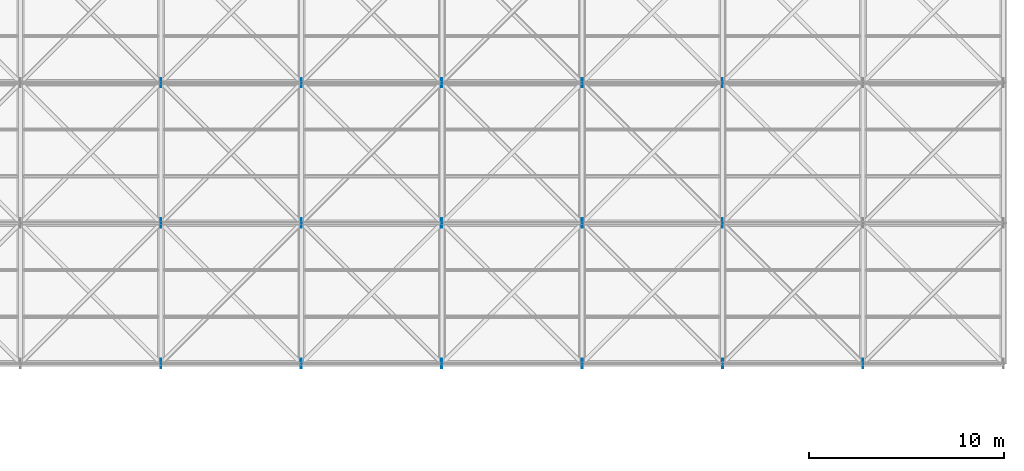
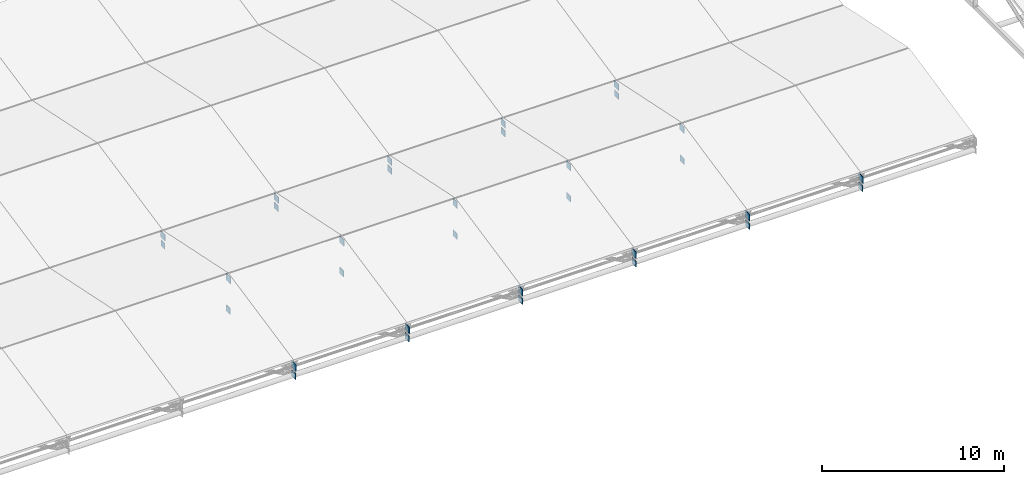
# One storey, part 68 of 72: 32 plates.
"""IFC4 building model written with IfcOpenShell, lengths in metres."""

from ifc_helpers import new_model, si_unit, direction, frame, origin, origin_2d, place, context, subcontext, project, spatial, rectangle, extrude, material, layer, layer_set, type_object, element, save


model = new_model("IFC4")

# Units and contexts
model_context = context("Model", 3, precision=1e-05, world=origin(), true_north=direction((0.0, 1.0)))
body_context = subcontext(model_context, "Body", "Model", "MODEL_VIEW")
ifc_project = project(units=[si_unit("LENGTHUNIT", "METRE"), si_unit("AREAUNIT", "SQUARE_METRE"), si_unit("VOLUMEUNIT", "CUBIC_METRE"), si_unit("PLANEANGLEUNIT", "RADIAN"), si_unit("MASSUNIT", "GRAM", prefix="KILO")], contexts=[model_context])

# Site, building, storey
site_placement = place(None, origin())
site = spatial("IfcSite", under=ifc_project, at=site_placement, CompositionType="ELEMENT")
building_placement = place(site_placement, origin())
building = spatial("IfcBuilding", under=site, at=building_placement, Name="Vaelcorin Mobility Hub", CompositionType="ELEMENT")
storey_placement = place(building_placement, frame((0.0, 0.0, 25.800048828125)))
storey = spatial("IfcBuildingStorey", under=building, at=storey_placement, Name="RF", CompositionType="ELEMENT", Elevation=25.800048828125)

# Plates
ifc_material = material(Name="Steel ASTM A572 Grade 50", Category="steel")
ifc_layer_1 = layer(ifc_material, 0.0380859375)
ifc_layer_set_1 = layer_set([ifc_layer_1], Name="Steel ASTM A572 Grade 50")
plate_type_1 = type_object("IfcPlateType", Name="PL-TN1", PredefinedType="USERDEFINED", material=ifc_layer_set_1)
for number, where, z_axis, x_axis, name in (
    (1, (72.0, 84.0, -1.719970703125), (0.0, 0.0, 1.0), (1.0, 0.0, 0.0), "Sports Roof Truss Node TN1 5-0"),
    (2, (79.199951171875, 84.0, -1.719970703125), (0.0, 0.0, 1.0), (1.0, 0.0, 0.0), "Sports Roof Truss Node TN1 6-0"),
    (3, (86.39990234375, 84.0, -1.719970703125), (0.0, 0.0, 1.0), (1.0, 0.0, 0.0), "Sports Roof Truss Node TN1 7-0"),
    (4, (93.60009765625, 84.0, -1.719970703125), (0.0, 0.0, 1.0), (1.0, 0.0, 0.0), "Sports Roof Truss Node TN1 8-0"),
    (5, (100.800048828125, 84.0, -1.719970703125), (0.0, 0.0, 1.0), (1.0, 0.0, 0.0), "Sports Roof Truss Node TN1 9-0"),
    (6, (108.0, 84.0, -1.719970703125), (0.0, 0.0, 1.0), (1.0, 0.0, 0.0), "Sports Roof Truss Node TN1 10-0"),
):
    element("IfcPlate", number, at=place(storey_placement, frame(where, z_axis=z_axis, x_axis=x_axis)), inside=storey, type_object=plate_type_1, Name=name, ObjectType="GUSSET PLATE", PredefinedType="USERDEFINED", context=body_context, shape_type="SweptSolid", body=[
        extrude(rectangle(XDim=0.0380859375, YDim=0.47998046875, at=origin_2d()), origin(), (0.0, 0.0, 1.0), 0.43994140625),
    ])
ifc_layer_2 = layer(ifc_material, 0.030029296875)
ifc_layer_set_2 = layer_set([ifc_layer_2], Name="Steel ASTM A572 Grade 50")
plate_type_2 = type_object("IfcPlateType", Name="PL-TN2", PredefinedType="USERDEFINED", material=ifc_layer_set_2)
plate_1_placement = place(storey_placement, frame((72.0, 84.0, -2.300048828125), z_axis=(0.0, 0.0, 1.0), x_axis=(1.0, 0.0, 0.0)))
element("IfcPlate", 7, at=plate_1_placement, inside=storey, type_object=plate_type_2, Name="Sports Roof Truss Bottom Node 5-0", ObjectType="GUSSET PLATE", PredefinedType="USERDEFINED", context=body_context, shape_type="SweptSolid", body=[
    extrude(rectangle(XDim=0.030029296875, YDim=0.43994140625, at=origin_2d()), origin(), (0.0, 0.0, 1.0), 0.39990234375),
])
plate_2_placement = place(storey_placement, frame((72.0, 91.199951171875, -0.219970703125), z_axis=(0.0, 0.0, 1.0), x_axis=(1.0, 0.0, 0.0)))
element("IfcPlate", 8, at=plate_2_placement, inside=storey, type_object=plate_type_2, Name="Sports Roof Truss Node TN2 5-1", ObjectType="GUSSET PLATE", PredefinedType="USERDEFINED", context=body_context, shape_type="SweptSolid", body=[
    extrude(rectangle(XDim=0.030029296875, YDim=0.47998046875, at=origin_2d()), origin(), (0.0, 0.0, 1.0), 0.43994140625),
])
plate_3_placement = place(storey_placement, frame((72.0, 91.199951171875, -2.300048828125), z_axis=(0.0, 0.0, 1.0), x_axis=(1.0, 0.0, 0.0)))
element("IfcPlate", 9, at=plate_3_placement, inside=storey, type_object=plate_type_2, Name="Sports Roof Truss Bottom Node 5-1", ObjectType="GUSSET PLATE", PredefinedType="USERDEFINED", context=body_context, shape_type="SweptSolid", body=[
    extrude(rectangle(XDim=0.030029296875, YDim=0.43994140625, at=origin_2d()), origin(), (0.0, 0.0, 1.0), 0.39990234375),
])
plate_4_placement = place(storey_placement, frame((72.0, 98.39990234375, -1.719970703125), z_axis=(0.0, 0.0, 1.0), x_axis=(1.0, 0.0, 0.0)))
element("IfcPlate", 10, at=plate_4_placement, inside=storey, type_object=plate_type_2, Name="Sports Roof Truss Node TN2 5-2", ObjectType="GUSSET PLATE", PredefinedType="USERDEFINED", context=body_context, shape_type="SweptSolid", body=[
    extrude(rectangle(XDim=0.030029296875, YDim=0.47998046875, at=origin_2d()), origin(), (0.0, 0.0, 1.0), 0.43994140625),
])
for number, where, z_axis, x_axis, name in (
    (11, (72.0, 98.39990234375, -2.300048828125), (0.0, 0.0, 1.0), (1.0, 0.0, 0.0), "Sports Roof Truss Bottom Node 5-2"),
    (12, (79.199951171875, 84.0, -2.300048828125), (0.0, 0.0, 1.0), (1.0, 0.0, 0.0), "Sports Roof Truss Bottom Node 6-0"),
):
    element("IfcPlate", number, at=place(storey_placement, frame(where, z_axis=z_axis, x_axis=x_axis)), inside=storey, type_object=plate_type_2, Name=name, ObjectType="GUSSET PLATE", PredefinedType="USERDEFINED", context=body_context, shape_type="SweptSolid", body=[
        extrude(rectangle(XDim=0.030029296875, YDim=0.43994140625, at=origin_2d()), origin(), (0.0, 0.0, 1.0), 0.39990234375),
    ])
plate_5_placement = place(storey_placement, frame((79.199951171875, 91.199951171875, -0.219970703125), z_axis=(0.0, 0.0, 1.0), x_axis=(1.0, 0.0, 0.0)))
element("IfcPlate", 13, at=plate_5_placement, inside=storey, type_object=plate_type_2, Name="Sports Roof Truss Node TN2 6-1", ObjectType="GUSSET PLATE", PredefinedType="USERDEFINED", context=body_context, shape_type="SweptSolid", body=[
    extrude(rectangle(XDim=0.030029296875, YDim=0.47998046875, at=origin_2d()), origin(), (0.0, 0.0, 1.0), 0.43994140625),
])
plate_6_placement = place(storey_placement, frame((79.199951171875, 91.199951171875, -2.300048828125), z_axis=(0.0, 0.0, 1.0), x_axis=(1.0, 0.0, 0.0)))
element("IfcPlate", 14, at=plate_6_placement, inside=storey, type_object=plate_type_2, Name="Sports Roof Truss Bottom Node 6-1", ObjectType="GUSSET PLATE", PredefinedType="USERDEFINED", context=body_context, shape_type="SweptSolid", body=[
    extrude(rectangle(XDim=0.030029296875, YDim=0.43994140625, at=origin_2d()), origin(), (0.0, 0.0, 1.0), 0.39990234375),
])
plate_7_placement = place(storey_placement, frame((79.199951171875, 98.39990234375, -1.719970703125), z_axis=(0.0, 0.0, 1.0), x_axis=(1.0, 0.0, 0.0)))
element("IfcPlate", 15, at=plate_7_placement, inside=storey, type_object=plate_type_2, Name="Sports Roof Truss Node TN2 6-2", ObjectType="GUSSET PLATE", PredefinedType="USERDEFINED", context=body_context, shape_type="SweptSolid", body=[
    extrude(rectangle(XDim=0.030029296875, YDim=0.47998046875, at=origin_2d()), origin(), (0.0, 0.0, 1.0), 0.43994140625),
])
for number, where, z_axis, x_axis, name in (
    (16, (79.199951171875, 98.39990234375, -2.300048828125), (0.0, 0.0, 1.0), (1.0, 0.0, 0.0), "Sports Roof Truss Bottom Node 6-2"),
    (17, (86.39990234375, 84.0, -2.300048828125), (0.0, 0.0, 1.0), (1.0, 0.0, 0.0), "Sports Roof Truss Bottom Node 7-0"),
):
    element("IfcPlate", number, at=place(storey_placement, frame(where, z_axis=z_axis, x_axis=x_axis)), inside=storey, type_object=plate_type_2, Name=name, ObjectType="GUSSET PLATE", PredefinedType="USERDEFINED", context=body_context, shape_type="SweptSolid", body=[
        extrude(rectangle(XDim=0.030029296875, YDim=0.43994140625, at=origin_2d()), origin(), (0.0, 0.0, 1.0), 0.39990234375),
    ])
plate_8_placement = place(storey_placement, frame((86.39990234375, 91.199951171875, -0.219970703125), z_axis=(0.0, 0.0, 1.0), x_axis=(1.0, 0.0, 0.0)))
element("IfcPlate", 18, at=plate_8_placement, inside=storey, type_object=plate_type_2, Name="Sports Roof Truss Node TN2 7-1", ObjectType="GUSSET PLATE", PredefinedType="USERDEFINED", context=body_context, shape_type="SweptSolid", body=[
    extrude(rectangle(XDim=0.030029296875, YDim=0.47998046875, at=origin_2d()), origin(), (0.0, 0.0, 1.0), 0.43994140625),
])
plate_9_placement = place(storey_placement, frame((86.39990234375, 91.199951171875, -2.300048828125), z_axis=(0.0, 0.0, 1.0), x_axis=(1.0, 0.0, 0.0)))
element("IfcPlate", 19, at=plate_9_placement, inside=storey, type_object=plate_type_2, Name="Sports Roof Truss Bottom Node 7-1", ObjectType="GUSSET PLATE", PredefinedType="USERDEFINED", context=body_context, shape_type="SweptSolid", body=[
    extrude(rectangle(XDim=0.030029296875, YDim=0.43994140625, at=origin_2d()), origin(), (0.0, 0.0, 1.0), 0.39990234375),
])
plate_10_placement = place(storey_placement, frame((86.39990234375, 98.39990234375, -1.719970703125), z_axis=(0.0, 0.0, 1.0), x_axis=(1.0, 0.0, 0.0)))
element("IfcPlate", 20, at=plate_10_placement, inside=storey, type_object=plate_type_2, Name="Sports Roof Truss Node TN2 7-2", ObjectType="GUSSET PLATE", PredefinedType="USERDEFINED", context=body_context, shape_type="SweptSolid", body=[
    extrude(rectangle(XDim=0.030029296875, YDim=0.47998046875, at=origin_2d()), origin(), (0.0, 0.0, 1.0), 0.43994140625),
])
for number, where, z_axis, x_axis, name in (
    (21, (86.39990234375, 98.39990234375, -2.300048828125), (0.0, 0.0, 1.0), (1.0, 0.0, 0.0), "Sports Roof Truss Bottom Node 7-2"),
    (22, (93.60009765625, 84.0, -2.300048828125), (0.0, 0.0, 1.0), (1.0, 0.0, 0.0), "Sports Roof Truss Bottom Node 8-0"),
):
    element("IfcPlate", number, at=place(storey_placement, frame(where, z_axis=z_axis, x_axis=x_axis)), inside=storey, type_object=plate_type_2, Name=name, ObjectType="GUSSET PLATE", PredefinedType="USERDEFINED", context=body_context, shape_type="SweptSolid", body=[
        extrude(rectangle(XDim=0.030029296875, YDim=0.43994140625, at=origin_2d()), origin(), (0.0, 0.0, 1.0), 0.39990234375),
    ])
plate_11_placement = place(storey_placement, frame((93.60009765625, 91.199951171875, -0.219970703125), z_axis=(0.0, 0.0, 1.0), x_axis=(1.0, 0.0, 0.0)))
element("IfcPlate", 23, at=plate_11_placement, inside=storey, type_object=plate_type_2, Name="Sports Roof Truss Node TN2 8-1", ObjectType="GUSSET PLATE", PredefinedType="USERDEFINED", context=body_context, shape_type="SweptSolid", body=[
    extrude(rectangle(XDim=0.030029296875, YDim=0.47998046875, at=origin_2d()), origin(), (0.0, 0.0, 1.0), 0.43994140625),
])
plate_12_placement = place(storey_placement, frame((93.60009765625, 91.199951171875, -2.300048828125), z_axis=(0.0, 0.0, 1.0), x_axis=(1.0, 0.0, 0.0)))
element("IfcPlate", 24, at=plate_12_placement, inside=storey, type_object=plate_type_2, Name="Sports Roof Truss Bottom Node 8-1", ObjectType="GUSSET PLATE", PredefinedType="USERDEFINED", context=body_context, shape_type="SweptSolid", body=[
    extrude(rectangle(XDim=0.030029296875, YDim=0.43994140625, at=origin_2d()), origin(), (0.0, 0.0, 1.0), 0.39990234375),
])
plate_13_placement = place(storey_placement, frame((93.60009765625, 98.39990234375, -1.719970703125), z_axis=(0.0, 0.0, 1.0), x_axis=(1.0, 0.0, 0.0)))
element("IfcPlate", 25, at=plate_13_placement, inside=storey, type_object=plate_type_2, Name="Sports Roof Truss Node TN2 8-2", ObjectType="GUSSET PLATE", PredefinedType="USERDEFINED", context=body_context, shape_type="SweptSolid", body=[
    extrude(rectangle(XDim=0.030029296875, YDim=0.47998046875, at=origin_2d()), origin(), (0.0, 0.0, 1.0), 0.43994140625),
])
for number, where, z_axis, x_axis, name in (
    (26, (93.60009765625, 98.39990234375, -2.300048828125), (0.0, 0.0, 1.0), (1.0, 0.0, 0.0), "Sports Roof Truss Bottom Node 8-2"),
    (27, (100.800048828125, 84.0, -2.300048828125), (0.0, 0.0, 1.0), (1.0, 0.0, 0.0), "Sports Roof Truss Bottom Node 9-0"),
):
    element("IfcPlate", number, at=place(storey_placement, frame(where, z_axis=z_axis, x_axis=x_axis)), inside=storey, type_object=plate_type_2, Name=name, ObjectType="GUSSET PLATE", PredefinedType="USERDEFINED", context=body_context, shape_type="SweptSolid", body=[
        extrude(rectangle(XDim=0.030029296875, YDim=0.43994140625, at=origin_2d()), origin(), (0.0, 0.0, 1.0), 0.39990234375),
    ])
plate_14_placement = place(storey_placement, frame((100.800048828125, 91.199951171875, -0.219970703125), z_axis=(0.0, 0.0, 1.0), x_axis=(1.0, 0.0, 0.0)))
element("IfcPlate", 28, at=plate_14_placement, inside=storey, type_object=plate_type_2, Name="Sports Roof Truss Node TN2 9-1", ObjectType="GUSSET PLATE", PredefinedType="USERDEFINED", context=body_context, shape_type="SweptSolid", body=[
    extrude(rectangle(XDim=0.030029296875, YDim=0.47998046875, at=origin_2d()), origin(), (0.0, 0.0, 1.0), 0.43994140625),
])
plate_15_placement = place(storey_placement, frame((100.800048828125, 91.199951171875, -2.300048828125), z_axis=(0.0, 0.0, 1.0), x_axis=(1.0, 0.0, 0.0)))
element("IfcPlate", 29, at=plate_15_placement, inside=storey, type_object=plate_type_2, Name="Sports Roof Truss Bottom Node 9-1", ObjectType="GUSSET PLATE", PredefinedType="USERDEFINED", context=body_context, shape_type="SweptSolid", body=[
    extrude(rectangle(XDim=0.030029296875, YDim=0.43994140625, at=origin_2d()), origin(), (0.0, 0.0, 1.0), 0.39990234375),
])
plate_16_placement = place(storey_placement, frame((100.800048828125, 98.39990234375, -1.719970703125), z_axis=(0.0, 0.0, 1.0), x_axis=(1.0, 0.0, 0.0)))
element("IfcPlate", 30, at=plate_16_placement, inside=storey, type_object=plate_type_2, Name="Sports Roof Truss Node TN2 9-2", ObjectType="GUSSET PLATE", PredefinedType="USERDEFINED", context=body_context, shape_type="SweptSolid", body=[
    extrude(rectangle(XDim=0.030029296875, YDim=0.47998046875, at=origin_2d()), origin(), (0.0, 0.0, 1.0), 0.43994140625),
])
for number, where, z_axis, x_axis, name in (
    (31, (100.800048828125, 98.39990234375, -2.300048828125), (0.0, 0.0, 1.0), (1.0, 0.0, 0.0), "Sports Roof Truss Bottom Node 9-2"),
    (32, (108.0, 84.0, -2.300048828125), (0.0, 0.0, 1.0), (1.0, 0.0, 0.0), "Sports Roof Truss Bottom Node 10-0"),
):
    element("IfcPlate", number, at=place(storey_placement, frame(where, z_axis=z_axis, x_axis=x_axis)), inside=storey, type_object=plate_type_2, Name=name, ObjectType="GUSSET PLATE", PredefinedType="USERDEFINED", context=body_context, shape_type="SweptSolid", body=[
        extrude(rectangle(XDim=0.030029296875, YDim=0.43994140625, at=origin_2d()), origin(), (0.0, 0.0, 1.0), 0.39990234375),
    ])

save(model, "model.ifc")
